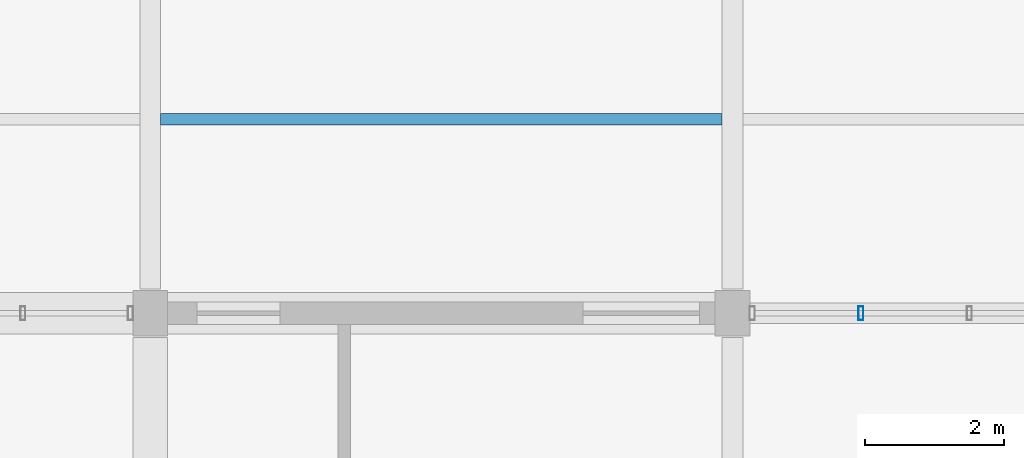
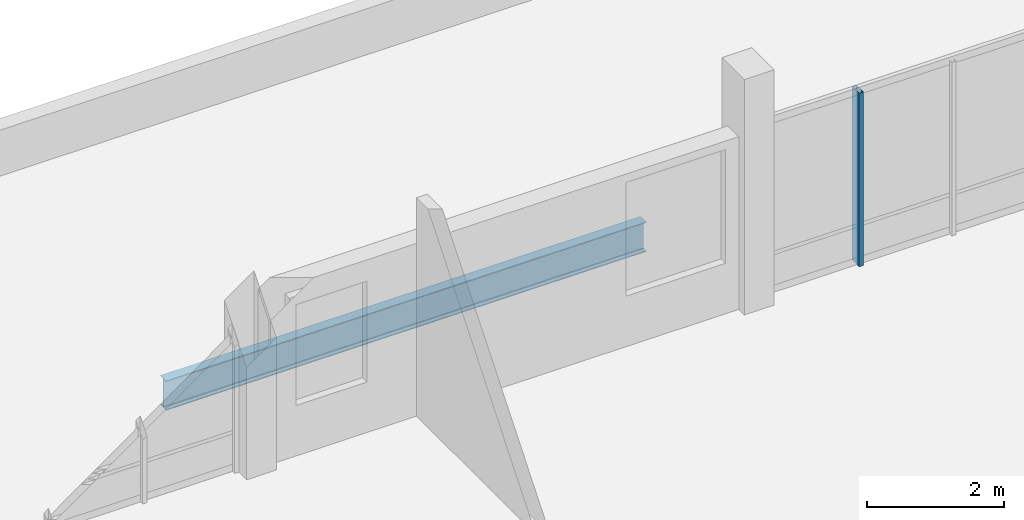
# One storey, part 38 of 101: 1 beam, 1 member, 1 element without a shape of its own.
"""IFC4 building model written with IfcOpenShell, lengths in metres."""

from ifc_helpers import new_model, si_unit, direction, frame, origin, origin_2d, place, context, subcontext, project, spatial, hollow_rectangle, i_section, extrude, material, layer, layer_set, material_profile, profile_set, type_object, element, aggregate, save


model = new_model("IFC4")

# Units and contexts
model_context = context("Model", 3, precision=1e-05, world=origin(), true_north=direction((0.0, 1.0)))
body_context = subcontext(model_context, "Body", "Model", "MODEL_VIEW")
ifc_project = project(units=[si_unit("LENGTHUNIT", "METRE"), si_unit("AREAUNIT", "SQUARE_METRE"), si_unit("VOLUMEUNIT", "CUBIC_METRE"), si_unit("PLANEANGLEUNIT", "RADIAN"), si_unit("MASSUNIT", "GRAM", prefix="KILO")], contexts=[model_context])

# Site, building, storey
site_placement = place(None, origin())
site = spatial("IfcSite", under=ifc_project, at=site_placement, CompositionType="ELEMENT")
building_placement = place(site_placement, origin())
building = spatial("IfcBuilding", under=site, at=building_placement, Name="Vireocrest Preparatory School", CompositionType="ELEMENT")
storey_placement = place(building_placement, frame((0.0, 0.0, 4.800048828125)))
storey = spatial("IfcBuildingStorey", under=building, at=storey_placement, Name="L01", CompositionType="ELEMENT", Elevation=4.800048828125)

# Curtain wall, member
ifc_material_1 = material(Name="Thermally broken aluminium EN AW-6063-T6", Category="aluminium")
ifc_layer = layer(ifc_material_1, 0.179931640625)
ifc_layer_set = layer_set([ifc_layer], Name="Thermally broken aluminium EN AW-6063-T6")
curtain_wall_type = type_object("IfcCurtainWallType", Name="Library Reading Bay Glazing 7600x4200", PredefinedType="USERDEFINED", material=ifc_layer_set)
curtain_wall_placement = place(storey_placement, origin())
curtain_wall = element("IfcCurtainWall", 1, at=curtain_wall_placement, inside=storey, type_object=curtain_wall_type, Name="Curtain Wall CW16 CW_L01_CW16_1262_0438_048", ObjectType="CURTAIN WALL", PredefinedType="USERDEFINED")
ifc_material_profile_1 = material_profile(ifc_material_1, hollow_rectangle(XDim=0.074951171875, YDim=0.199951171875, WallThickness=0.0048828125, at=origin_2d()), Name="ALU 75x200x5")
ifc_profile_set_1 = profile_set([ifc_material_profile_1], Name="Thermally broken aluminium EN AW-6063-T6")
member_type = type_object("IfcMemberType", Name="CW Mullion 75x200x5", PredefinedType="MULLION", material=ifc_profile_set_1)
member_placement = place(storey_placement, frame((127.85107421875, 43.800048828125, 0.0), z_axis=(0.0, 0.0, 1.0), x_axis=(1.0, 0.0, 0.0)))
member = element("IfcMember", 2, at=member_placement, type_object=member_type, Name="CW Mullion ML3 CW_L01_CW16_1262_0438_048-2", PredefinedType="MULLION", context=body_context, shape_type="SweptSolid", body=[
    extrude(hollow_rectangle(XDim=0.074951171875, YDim=0.199951171875, WallThickness=0.0048828125, at=origin_2d()), origin(), (0.0, 0.0, 1.0), 3.094970703125),
])
aggregate(curtain_wall, [member])

# Beam
ifc_material_2 = material(Name="Structural steel ASTM A992 Grade 50", Category="steel")
ifc_material_profile_2 = material_profile(ifc_material_2, i_section(OverallWidth=0.166015625, OverallDepth=0.529052734375, WebThickness=0.009765625, FlangeThickness=0.013671875, FilletRadius=0.014892578125, at=origin_2d()), Name="W21X50")
ifc_profile_set_2 = profile_set([ifc_material_profile_2], Name="Structural steel ASTM A992 Grade 50")
beam_type = type_object("IfcBeamType", Name="Pavilion Roof Joist W21X50", PredefinedType="JOIST", material=ifc_profile_set_2)
beam_placement = place(storey_placement, frame((117.75, 46.60009765625, -0.484619140625), z_axis=(1.0, 0.0, 0.0), x_axis=(0.0, 1.0, 0.0)))
element("IfcBeam", 3, at=beam_placement, inside=storey, type_object=beam_type, Name="Secondary Joist SJ1 L01-0647", PredefinedType="JOIST", context=body_context, shape_type="SweptSolid", body=[
    extrude(i_section(OverallWidth=0.166015625, OverallDepth=0.529052734375, WebThickness=0.009765625, FlangeThickness=0.013671875, FilletRadius=0.014892578125, at=origin_2d()), origin(), (0.0, 0.0, 1.0), 8.10009765625),
])

save(model, "model.ifc")
